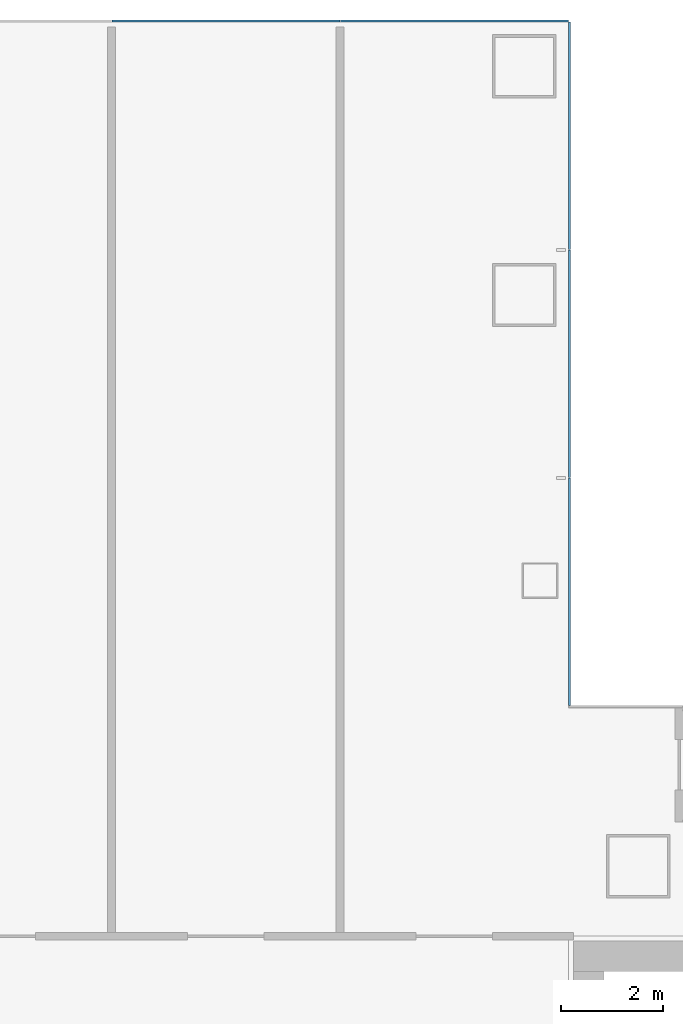
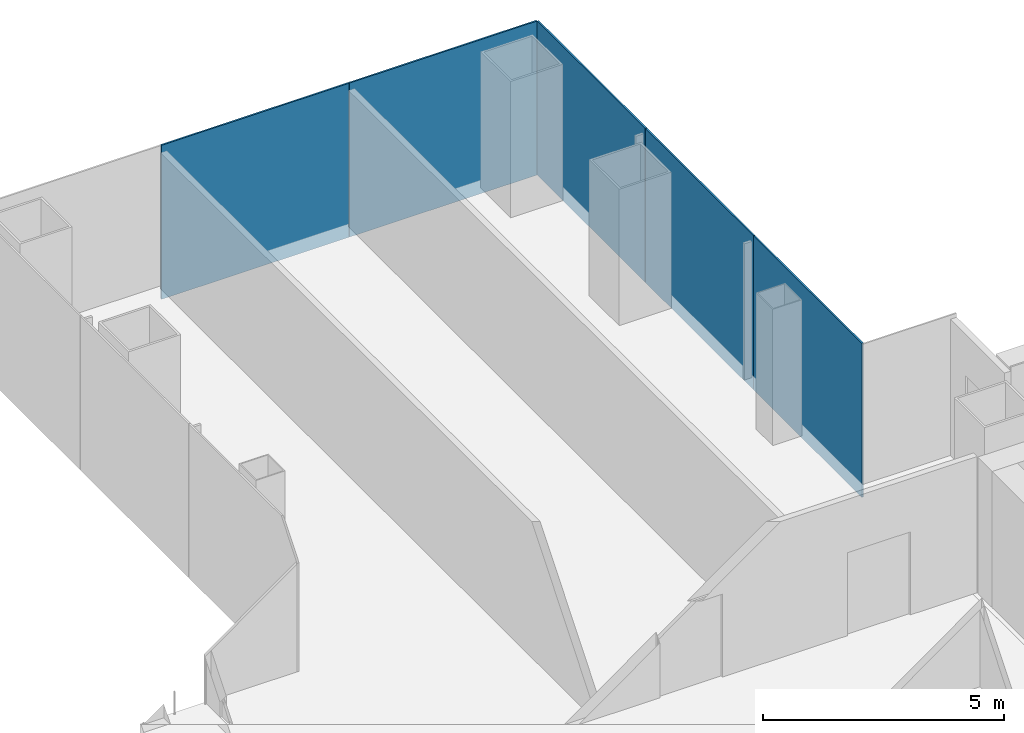
# One storey, part 11 of 20: 5 plates, 2 elements without a shape of their own.
"""IFC4 building model written with IfcOpenShell, lengths in metres."""

from ifc_helpers import new_model, si_unit, direction, frame, origin, origin_2d, place, context, subcontext, project, spatial, rectangle, extrude, material, layer, layer_set, type_object, element, aggregate, save


model = new_model("IFC4")

# Units and contexts
model_context = context("Model", 3, precision=1e-05, world=origin(), true_north=direction((0.0, 1.0)))
body_context = subcontext(model_context, "Body", "Model", "MODEL_VIEW")
ifc_project = project(units=[si_unit("LENGTHUNIT", "METRE"), si_unit("AREAUNIT", "SQUARE_METRE"), si_unit("VOLUMEUNIT", "CUBIC_METRE"), si_unit("PLANEANGLEUNIT", "RADIAN"), si_unit("MASSUNIT", "GRAM", prefix="KILO")], contexts=[model_context])

# Site, building, storey
site_placement = place(None, origin())
site = spatial("IfcSite", under=ifc_project, at=site_placement, CompositionType="ELEMENT")
building_placement = place(site_placement, origin())
building = spatial("IfcBuilding", under=site, at=building_placement, Name="Shamsa Quay Exchange Towers", CompositionType="ELEMENT")
storey_placement = place(building_placement, frame((0.0, 0.0, 124.800048828125)))
storey = spatial("IfcBuildingStorey", under=building, at=storey_placement, Name="L29", CompositionType="ELEMENT", Elevation=124.800048828125)

# Curtain wall, plates
ifc_material_1 = material(Name="Aluminium EN AW-6063 T6, black anodised", Category="aluminium")
ifc_layer_1 = layer(ifc_material_1, 0.280029296875)
ifc_layer_set_1 = layer_set([ifc_layer_1], Name="CW-1 UNITISED VISION GLASS")
curtain_wall_type = type_object("IfcCurtainWallType", Name="CW-1 UNITISED VISION GLASS", PredefinedType="NOTDEFINED", material=ifc_layer_set_1)
curtain_wall_1_placement = place(storey_placement, origin())
curtain_wall_1 = element("IfcCurtainWall", 1, at=curtain_wall_1_placement, inside=storey, type_object=curtain_wall_type, Name="CW1 T2-FLK-U+S L29", PredefinedType="NOTDEFINED")
ifc_material_2 = material(Name="Glass, laminated, dark tinted", Category="glass")
ifc_layer_2 = layer(ifc_material_2, 0.0400390625)
ifc_layer_set_2 = layer_set([ifc_layer_2], Name="CW-1 VISION GLASS 40")
plate_type = type_object("IfcPlateType", Name="CW-1 VISION GLASS 40", PredefinedType="CURTAIN_PANEL", material=ifc_layer_set_2)
plate_1_placement = place(storey_placement, frame((40.52001953125, 13.529052734375, -0.35009765625), z_axis=(0.0, 0.0, 1.0), x_axis=(0.0, 1.0, 0.0)))
plate_1 = element("IfcPlate", 2, at=plate_1_placement, type_object=plate_type, Name="CW1 glass panel", PredefinedType="CURTAIN_PANEL", context=body_context, shape_type="SweptSolid", body=[
    extrude(rectangle(XDim=4.482421875, YDim=0.0400390625, at=origin_2d()), origin(), (0.0, 0.0, 1.0), 3.89990234375),
])
plate_2_placement = place(storey_placement, frame((40.52001953125, 18.01904296875, -0.35009765625), z_axis=(0.0, 0.0, 1.0), x_axis=(0.0, 1.0, 0.0)))
plate_2 = element("IfcPlate", 3, at=plate_2_placement, type_object=plate_type, Name="CW1 glass panel", PredefinedType="CURTAIN_PANEL", context=body_context, shape_type="SweptSolid", body=[
    extrude(rectangle(XDim=4.477294921875, YDim=0.0400390625, at=origin_2d()), origin(), (0.0, 0.0, 1.0), 3.89990234375),
])
plate_3_placement = place(storey_placement, frame((40.52001953125, 22.5087890625, -0.35009765625), z_axis=(0.0, 0.0, 1.0), x_axis=(0.0, 1.0, 0.0)))
plate_3 = element("IfcPlate", 4, at=plate_3_placement, type_object=plate_type, Name="CW1 glass panel", PredefinedType="CURTAIN_PANEL", context=body_context, shape_type="SweptSolid", body=[
    extrude(rectangle(XDim=4.482421875, YDim=0.0400390625, at=origin_2d()), origin(), (0.0, 0.0, 1.0), 3.89990234375),
])
aggregate(curtain_wall_1, [plate_1, plate_2, plate_3])

curtain_wall_2_placement = place(storey_placement, origin())
curtain_wall_2 = element("IfcCurtainWall", 5, at=curtain_wall_2_placement, inside=storey, type_object=curtain_wall_type, Name="CW1 T2-END-U+ L29", PredefinedType="NOTDEFINED")
plate_4_placement = place(storey_placement, frame((38.25244140625, 24.77001953125, -0.35009765625), z_axis=(0.0, 0.0, 1.0), x_axis=(-1.0, 0.0, 0.0)))
plate_4 = element("IfcPlate", 6, at=plate_4_placement, type_object=plate_type, Name="CW1 glass panel", PredefinedType="CURTAIN_PANEL", context=body_context, shape_type="SweptSolid", body=[
    extrude(rectangle(XDim=4.4951171875, YDim=0.0400390625, at=origin_2d()), origin(), (0.0, 0.0, 1.0), 3.89990234375),
])
plate_5_placement = place(storey_placement, frame((33.75, 24.77001953125, -0.35009765625), z_axis=(0.0, 0.0, 1.0), x_axis=(-1.0, 0.0, 0.0)))
plate_5 = element("IfcPlate", 7, at=plate_5_placement, type_object=plate_type, Name="CW1 glass panel", PredefinedType="CURTAIN_PANEL", context=body_context, shape_type="SweptSolid", body=[
    extrude(rectangle(XDim=4.489990234375, YDim=0.0400390625, at=origin_2d()), origin(), (0.0, 0.0, 1.0), 3.89990234375),
])
aggregate(curtain_wall_2, [plate_4, plate_5])

save(model, "model.ifc")
